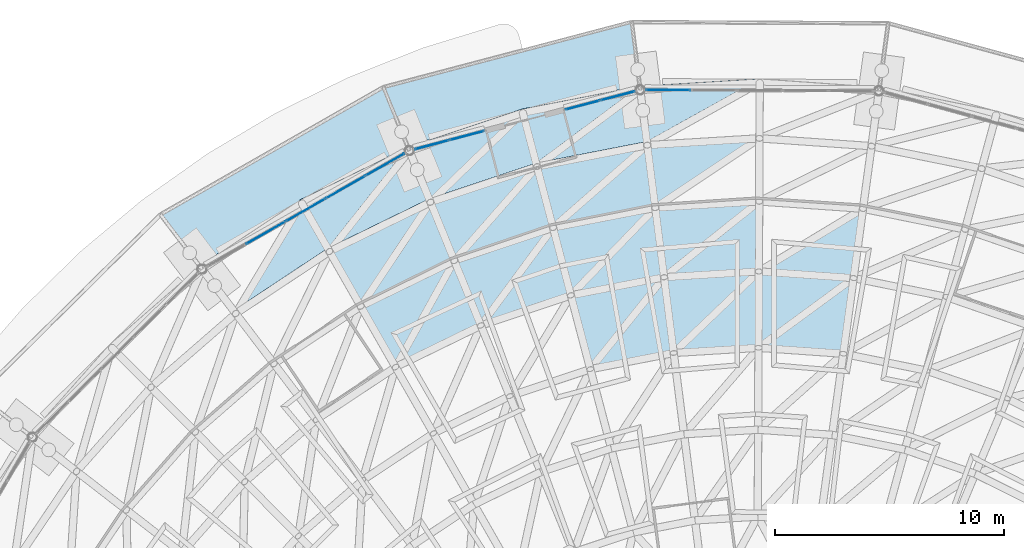
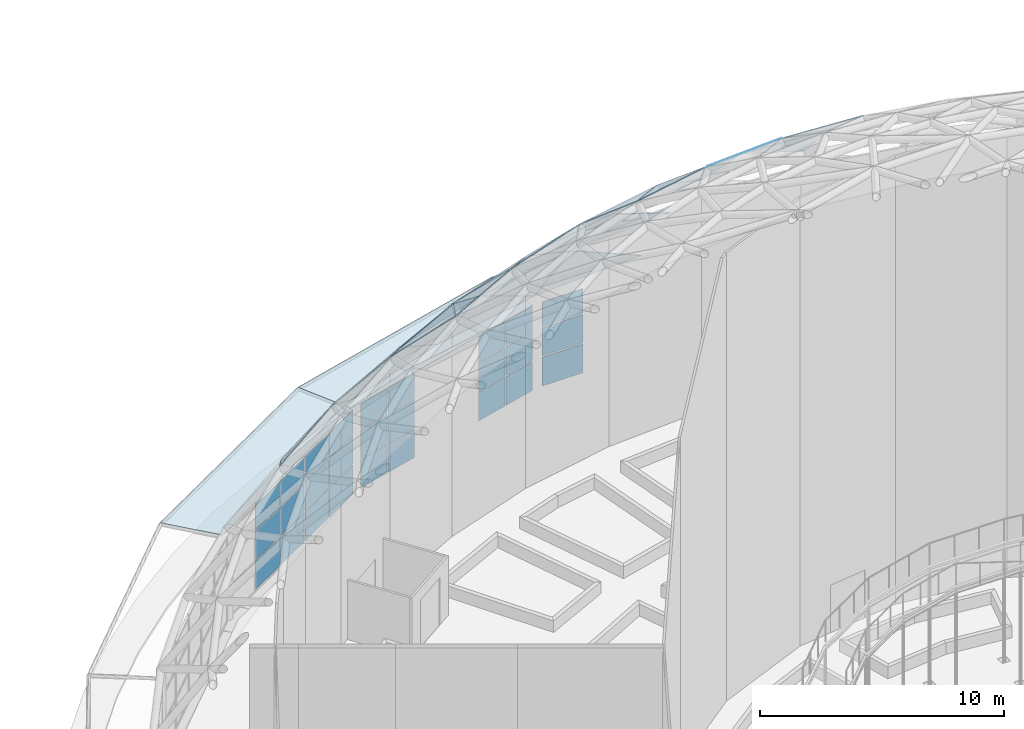
# One storey, part 156 of 226: 59 plates, 4 elements without a shape of their own.
"""IFC4 building model written with IfcOpenShell, lengths in metres."""

from ifc_helpers import new_model, si_unit, direction, frame, origin, origin_2d, place, context, subcontext, project, spatial, polyline, rectangle, outline, extrude, material, layer, layer_set, type_object, element, aggregate, save


model = new_model("IFC4")

# Units and contexts
model_context = context("Model", 3, precision=1e-05, world=origin(), true_north=direction((0.0, 1.0)))
body_context = subcontext(model_context, "Body", "Model", "MODEL_VIEW")
ifc_project = project(units=[si_unit("LENGTHUNIT", "METRE"), si_unit("AREAUNIT", "SQUARE_METRE"), si_unit("VOLUMEUNIT", "CUBIC_METRE"), si_unit("PLANEANGLEUNIT", "RADIAN"), si_unit("MASSUNIT", "GRAM", prefix="KILO")], contexts=[model_context])

# Site, building, storey
site_placement = place(None, origin())
site = spatial("IfcSite", under=ifc_project, at=site_placement, CompositionType="ELEMENT")
building_placement = place(site_placement, origin())
building = spatial("IfcBuilding", under=site, at=building_placement, Name="Ceibo Conservatory and Research Tower", CompositionType="ELEMENT")
storey_placement = place(building_placement, origin())
storey = spatial("IfcBuildingStorey", under=building, at=storey_placement, Name="L00", CompositionType="ELEMENT", Elevation=0.0)

# Plates
ifc_material_1 = material(Name="Laminated glass", Category="glass")
ifc_layer_1 = layer(ifc_material_1, 0.02490234375)
ifc_layer_set_1 = layer_set([ifc_layer_1], Name="Laminated glass")
plate_type_1 = type_object("IfcPlateType", Name="Canopy glass 25", PredefinedType="SHEET", material=ifc_layer_set_1)
plate_1_placement = place(storey_placement, frame((150.92041015625, 147.92822265625, 4.07275390625), z_axis=(0.011660109632, -0.044288249097, -0.998950745951), x_axis=(-0.967043835605, -0.254609936999, 3.91581e-07)))
element("IfcPlate", 1, at=plate_1_placement, inside=storey, type_object=plate_type_1, Name="Brim canopy plate A-CP07", PredefinedType="SHEET", context=body_context, shape_type="SweptSolid", body=[
    extrude(outline(polyline([(0.0, 0.0), (10.507417023316929, 0.0), (10.866274092459353, 2.729502036445407), (-0.3590923696601267, 2.729316214879378), (0.0, 0.0)])), origin(), (0.0, 0.0, 1.0), 0.02490234375),
])
plate_2_placement = place(storey_placement, frame((140.75927734375, 145.2529296875, 4.07275390625), z_axis=(0.022726074159, -0.039761368949, -0.998950729062), x_axis=(-0.868197373786, -0.496219024375, -3.70582e-07)))
element("IfcPlate", 2, at=plate_2_placement, inside=storey, type_object=plate_type_1, Name="Brim canopy plate A-CP08", PredefinedType="SHEET", context=body_context, shape_type="SweptSolid", body=[
    extrude(outline(polyline([(0.0, 0.0), (10.50718954005148, 8.881784197001252e-16), (10.866142204032347, 2.7292992462423933), (-0.35906190410069877, 2.729475098266783), (0.0, 0.0)])), origin(), (0.0, 0.0, 1.0), 0.02490234375),
])

# Curtain wall, plates
ifc_material_2 = material(Name="Aluminium and glass", Category="aluminium")
curtain_wall_type = type_object("IfcCurtainWallType", Name="Drum curtain wall", PredefinedType="NOTDEFINED", material=ifc_material_2)
curtain_wall_1_placement = place(storey_placement, origin())
curtain_wall_1 = element("IfcCurtainWall", 3, at=curtain_wall_1_placement, inside=storey, type_object=curtain_wall_type, Name="Drum curtain wall A-CW06", PredefinedType="NOTDEFINED")
ifc_layer_2 = layer(ifc_material_1, 0.028076171875)
ifc_layer_set_2 = layer_set([ifc_layer_2], Name="Laminated glass")
plate_type_2 = type_object("IfcPlateType", Name="Drum glass 28", PredefinedType="CURTAIN_PANEL", material=ifc_layer_set_2)
plate_3_placement = place(storey_placement, frame((152.173828125, 147.6748046875, 0.06005859375), z_axis=(0.0, 0.0, 1.0), x_axis=(-0.999990480759, 0.004363300488, 0.0)))
plate_3 = element("IfcPlate", 4, at=plate_3_placement, type_object=plate_type_2, Name="A-CW06 panel 5.1", PredefinedType="CURTAIN_PANEL", context=body_context, shape_type="SweptSolid", body=[
    extrude(rectangle(XDim=1.917236328125, YDim=0.028076171875, at=origin_2d()), origin(), (0.0, 0.0, 1.0), 1.43994140625),
])
plate_4_placement = place(storey_placement, frame((152.173828125, 147.6748046875, 1.56005859375), z_axis=(0.0, 0.0, 1.0), x_axis=(-0.999990480759, 0.004363300488, 0.0)))
plate_4 = element("IfcPlate", 5, at=plate_4_placement, type_object=plate_type_2, Name="A-CW06 panel 5.2", PredefinedType="CURTAIN_PANEL", context=body_context, shape_type="SweptSolid", body=[
    extrude(rectangle(XDim=1.917236328125, YDim=0.028076171875, at=origin_2d()), origin(), (0.0, 0.0, 1.0), 1.425048828125),
])
plate_5_placement = place(storey_placement, frame((152.173828125, 147.6748046875, 3.044921875), z_axis=(0.0, 0.0, 1.0), x_axis=(-0.999990480759, 0.004363300488, 0.0)))
plate_5 = element("IfcPlate", 6, at=plate_5_placement, type_object=plate_type_2, Name="A-CW06 panel 5.3", PredefinedType="CURTAIN_PANEL", context=body_context, shape_type="SweptSolid", body=[
    extrude(rectangle(XDim=1.917236328125, YDim=0.028076171875, at=origin_2d()), origin(), (0.0, 0.0, 1.0), 1.233154296875),
])
aggregate(curtain_wall_1, [plate_3, plate_4, plate_5])

curtain_wall_2_placement = place(storey_placement, origin())
curtain_wall_2 = element("IfcCurtainWall", 7, at=curtain_wall_2_placement, inside=storey, type_object=curtain_wall_type, Name="Drum curtain wall A-CW07W", PredefinedType="NOTDEFINED")
plate_6_placement = place(storey_placement, frame((149.963134765625, 147.419921875, 0.06005859375), z_axis=(0.0, 0.0, 1.0), x_axis=(-0.967045935266, -0.254601962062, 0.0)))
plate_6 = element("IfcPlate", 8, at=plate_6_placement, type_object=plate_type_2, Name="A-CW07W panel 1.1", PredefinedType="CURTAIN_PANEL", context=body_context, shape_type="SweptSolid", body=[
    extrude(rectangle(XDim=1.51904296875, YDim=0.028076171875, at=origin_2d()), origin(), (0.0, 0.0, 1.0), 1.43994140625),
])
plate_7_placement = place(storey_placement, frame((149.963134765625, 147.419921875, 1.56005859375), z_axis=(0.0, 0.0, 1.0), x_axis=(-0.967045935266, -0.254601962062, 0.0)))
plate_7 = element("IfcPlate", 9, at=plate_7_placement, type_object=plate_type_2, Name="A-CW07W panel 1.2", PredefinedType="CURTAIN_PANEL", context=body_context, shape_type="SweptSolid", body=[
    extrude(rectangle(XDim=1.51904296875, YDim=0.028076171875, at=origin_2d()), origin(), (0.0, 0.0, 1.0), 1.425048828125),
])
plate_8_placement = place(storey_placement, frame((149.963134765625, 147.419921875, 3.044921875), z_axis=(0.0, 0.0, 1.0), x_axis=(-0.967045935266, -0.254601962062, 0.0)))
plate_8 = element("IfcPlate", 10, at=plate_8_placement, type_object=plate_type_2, Name="A-CW07W panel 1.3", PredefinedType="CURTAIN_PANEL", context=body_context, shape_type="SweptSolid", body=[
    extrude(rectangle(XDim=1.51904296875, YDim=0.028076171875, at=origin_2d()), origin(), (0.0, 0.0, 1.0), 1.233154296875),
])
plate_9_placement = place(storey_placement, frame((148.436279296875, 147.017822265625, 0.06005859375), z_axis=(0.0, 0.0, 1.0), x_axis=(-0.967045935266, -0.254601962062, 0.0)))
plate_9 = element("IfcPlate", 11, at=plate_9_placement, type_object=plate_type_2, Name="A-CW07W panel 2.1", PredefinedType="CURTAIN_PANEL", context=body_context, shape_type="SweptSolid", body=[
    extrude(rectangle(XDim=1.51904296875, YDim=0.028076171875, at=origin_2d()), origin(), (0.0, 0.0, 1.0), 1.43994140625),
])
plate_10_placement = place(storey_placement, frame((148.436279296875, 147.017822265625, 1.56005859375), z_axis=(0.0, 0.0, 1.0), x_axis=(-0.967045935266, -0.254601962062, 0.0)))
plate_10 = element("IfcPlate", 12, at=plate_10_placement, type_object=plate_type_2, Name="A-CW07W panel 2.2", PredefinedType="CURTAIN_PANEL", context=body_context, shape_type="SweptSolid", body=[
    extrude(rectangle(XDim=1.51904296875, YDim=0.028076171875, at=origin_2d()), origin(), (0.0, 0.0, 1.0), 1.425048828125),
])
plate_11_placement = place(storey_placement, frame((148.436279296875, 147.017822265625, 3.044921875), z_axis=(0.0, 0.0, 1.0), x_axis=(-0.967045935266, -0.254601962062, 0.0)))
plate_11 = element("IfcPlate", 13, at=plate_11_placement, type_object=plate_type_2, Name="A-CW07W panel 2.3", PredefinedType="CURTAIN_PANEL", context=body_context, shape_type="SweptSolid", body=[
    extrude(rectangle(XDim=1.51904296875, YDim=0.028076171875, at=origin_2d()), origin(), (0.0, 0.0, 1.0), 1.233154296875),
])
aggregate(curtain_wall_2, [plate_6, plate_7, plate_8, plate_9, plate_10, plate_11])

curtain_wall_3_placement = place(storey_placement, origin())
curtain_wall_3 = element("IfcCurtainWall", 14, at=curtain_wall_3_placement, inside=storey, type_object=curtain_wall_type, Name="Drum curtain wall A-CW07E", PredefinedType="NOTDEFINED")
plate_12_placement = place(storey_placement, frame((143.369873046875, 145.68408203125, 0.06005859375), z_axis=(0.0, 0.0, 1.0), x_axis=(-0.967045935266, -0.254601962062, 0.0)))
plate_12 = element("IfcPlate", 15, at=plate_12_placement, type_object=plate_type_2, Name="A-CW07E panel 1.1", PredefinedType="CURTAIN_PANEL", context=body_context, shape_type="SweptSolid", body=[
    extrude(rectangle(XDim=1.51904296875, YDim=0.028076171875, at=origin_2d()), origin(), (0.0, 0.0, 1.0), 1.43994140625),
])
plate_13_placement = place(storey_placement, frame((143.369873046875, 145.68408203125, 1.56005859375), z_axis=(0.0, 0.0, 1.0), x_axis=(-0.967045935266, -0.254601962062, 0.0)))
plate_13 = element("IfcPlate", 16, at=plate_13_placement, type_object=plate_type_2, Name="A-CW07E panel 1.2", PredefinedType="CURTAIN_PANEL", context=body_context, shape_type="SweptSolid", body=[
    extrude(rectangle(XDim=1.51904296875, YDim=0.028076171875, at=origin_2d()), origin(), (0.0, 0.0, 1.0), 1.425048828125),
])
plate_14_placement = place(storey_placement, frame((143.369873046875, 145.68408203125, 3.044921875), z_axis=(0.0, 0.0, 1.0), x_axis=(-0.967045935266, -0.254601962062, 0.0)))
plate_14 = element("IfcPlate", 17, at=plate_14_placement, type_object=plate_type_2, Name="A-CW07E panel 1.3", PredefinedType="CURTAIN_PANEL", context=body_context, shape_type="SweptSolid", body=[
    extrude(rectangle(XDim=1.51904296875, YDim=0.028076171875, at=origin_2d()), origin(), (0.0, 0.0, 1.0), 1.233154296875),
])
plate_15_placement = place(storey_placement, frame((141.843017578125, 145.281982421875, 0.06005859375), z_axis=(0.0, 0.0, 1.0), x_axis=(-0.967045935266, -0.254601962062, 0.0)))
plate_15 = element("IfcPlate", 18, at=plate_15_placement, type_object=plate_type_2, Name="A-CW07E panel 2.1", PredefinedType="CURTAIN_PANEL", context=body_context, shape_type="SweptSolid", body=[
    extrude(rectangle(XDim=1.51904296875, YDim=0.028076171875, at=origin_2d()), origin(), (0.0, 0.0, 1.0), 1.43994140625),
])
plate_16_placement = place(storey_placement, frame((141.843017578125, 145.281982421875, 1.56005859375), z_axis=(0.0, 0.0, 1.0), x_axis=(-0.967045935266, -0.254601962062, 0.0)))
plate_16 = element("IfcPlate", 19, at=plate_16_placement, type_object=plate_type_2, Name="A-CW07E panel 2.2", PredefinedType="CURTAIN_PANEL", context=body_context, shape_type="SweptSolid", body=[
    extrude(rectangle(XDim=1.51904296875, YDim=0.028076171875, at=origin_2d()), origin(), (0.0, 0.0, 1.0), 1.425048828125),
])
plate_17_placement = place(storey_placement, frame((141.843017578125, 145.281982421875, 3.044921875), z_axis=(0.0, 0.0, 1.0), x_axis=(-0.967045935266, -0.254601962062, 0.0)))
plate_17 = element("IfcPlate", 20, at=plate_17_placement, type_object=plate_type_2, Name="A-CW07E panel 2.3", PredefinedType="CURTAIN_PANEL", context=body_context, shape_type="SweptSolid", body=[
    extrude(rectangle(XDim=1.51904296875, YDim=0.028076171875, at=origin_2d()), origin(), (0.0, 0.0, 1.0), 1.233154296875),
])
aggregate(curtain_wall_3, [plate_12, plate_13, plate_14, plate_15, plate_16, plate_17])

curtain_wall_4_placement = place(storey_placement, origin())
curtain_wall_4 = element("IfcCurtainWall", 21, at=curtain_wall_4_placement, inside=storey, type_object=curtain_wall_type, Name="Drum curtain wall A-CW08", PredefinedType="NOTDEFINED")
plate_18_placement = place(storey_placement, frame((139.793212890625, 144.415283203125, 0.06005859375), z_axis=(0.0, 0.0, 1.0), x_axis=(-0.868198821002, -0.49621649228, 0.0)))
plate_18 = element("IfcPlate", 22, at=plate_18_placement, type_object=plate_type_2, Name="A-CW08 panel 1.1", PredefinedType="CURTAIN_PANEL", context=body_context, shape_type="SweptSolid", body=[
    extrude(rectangle(XDim=1.917236328125, YDim=0.028076171875, at=origin_2d()), origin(), (0.0, 0.0, 1.0), 1.43994140625),
])
plate_19_placement = place(storey_placement, frame((139.793212890625, 144.415283203125, 1.56005859375), z_axis=(0.0, 0.0, 1.0), x_axis=(-0.868198821002, -0.49621649228, 0.0)))
plate_19 = element("IfcPlate", 23, at=plate_19_placement, type_object=plate_type_2, Name="A-CW08 panel 1.2", PredefinedType="CURTAIN_PANEL", context=body_context, shape_type="SweptSolid", body=[
    extrude(rectangle(XDim=1.917236328125, YDim=0.028076171875, at=origin_2d()), origin(), (0.0, 0.0, 1.0), 1.425048828125),
])
plate_20_placement = place(storey_placement, frame((139.793212890625, 144.415283203125, 3.044921875), z_axis=(0.0, 0.0, 1.0), x_axis=(-0.868198821002, -0.49621649228, 0.0)))
plate_20 = element("IfcPlate", 24, at=plate_20_placement, type_object=plate_type_2, Name="A-CW08 panel 1.3", PredefinedType="CURTAIN_PANEL", context=body_context, shape_type="SweptSolid", body=[
    extrude(rectangle(XDim=1.917236328125, YDim=0.028076171875, at=origin_2d()), origin(), (0.0, 0.0, 1.0), 1.233154296875),
])
plate_21_placement = place(storey_placement, frame((138.063720703125, 143.4267578125, 0.06005859375), z_axis=(0.0, 0.0, 1.0), x_axis=(-0.868198821002, -0.49621649228, 0.0)))
plate_21 = element("IfcPlate", 25, at=plate_21_placement, type_object=plate_type_2, Name="A-CW08 panel 2.1", PredefinedType="CURTAIN_PANEL", context=body_context, shape_type="SweptSolid", body=[
    extrude(rectangle(XDim=1.947021484375, YDim=0.028076171875, at=origin_2d()), origin(), (0.0, 0.0, 1.0), 1.43994140625),
])
plate_22_placement = place(storey_placement, frame((138.063720703125, 143.4267578125, 1.56005859375), z_axis=(0.0, 0.0, 1.0), x_axis=(-0.868198821002, -0.49621649228, 0.0)))
plate_22 = element("IfcPlate", 26, at=plate_22_placement, type_object=plate_type_2, Name="A-CW08 panel 2.2", PredefinedType="CURTAIN_PANEL", context=body_context, shape_type="SweptSolid", body=[
    extrude(rectangle(XDim=1.947021484375, YDim=0.028076171875, at=origin_2d()), origin(), (0.0, 0.0, 1.0), 1.425048828125),
])
plate_23_placement = place(storey_placement, frame((138.063720703125, 143.4267578125, 3.044921875), z_axis=(0.0, 0.0, 1.0), x_axis=(-0.868198821002, -0.49621649228, 0.0)))
plate_23 = element("IfcPlate", 27, at=plate_23_placement, type_object=plate_type_2, Name="A-CW08 panel 2.3", PredefinedType="CURTAIN_PANEL", context=body_context, shape_type="SweptSolid", body=[
    extrude(rectangle(XDim=1.947021484375, YDim=0.028076171875, at=origin_2d()), origin(), (0.0, 0.0, 1.0), 1.233154296875),
])
plate_24_placement = place(storey_placement, frame((136.321044921875, 142.430908203125, 0.06005859375), z_axis=(0.0, 0.0, 1.0), x_axis=(-0.868198821002, -0.49621649228, 0.0)))
plate_24 = element("IfcPlate", 28, at=plate_24_placement, type_object=plate_type_2, Name="A-CW08 panel 3.1", PredefinedType="CURTAIN_PANEL", context=body_context, shape_type="SweptSolid", body=[
    extrude(rectangle(XDim=1.947021484375, YDim=0.028076171875, at=origin_2d()), origin(), (0.0, 0.0, 1.0), 1.43994140625),
])
plate_25_placement = place(storey_placement, frame((136.321044921875, 142.430908203125, 1.56005859375), z_axis=(0.0, 0.0, 1.0), x_axis=(-0.868198821002, -0.49621649228, 0.0)))
plate_25 = element("IfcPlate", 29, at=plate_25_placement, type_object=plate_type_2, Name="A-CW08 panel 3.2", PredefinedType="CURTAIN_PANEL", context=body_context, shape_type="SweptSolid", body=[
    extrude(rectangle(XDim=1.947021484375, YDim=0.028076171875, at=origin_2d()), origin(), (0.0, 0.0, 1.0), 1.425048828125),
])
plate_26_placement = place(storey_placement, frame((136.321044921875, 142.430908203125, 3.044921875), z_axis=(0.0, 0.0, 1.0), x_axis=(-0.868198821002, -0.49621649228, 0.0)))
plate_26 = element("IfcPlate", 30, at=plate_26_placement, type_object=plate_type_2, Name="A-CW08 panel 3.3", PredefinedType="CURTAIN_PANEL", context=body_context, shape_type="SweptSolid", body=[
    extrude(rectangle(XDim=1.947021484375, YDim=0.028076171875, at=origin_2d()), origin(), (0.0, 0.0, 1.0), 1.233154296875),
])
plate_27_placement = place(storey_placement, frame((134.57861328125, 141.434814453125, 0.06005859375), z_axis=(0.0, 0.0, 1.0), x_axis=(-0.868198821002, -0.49621649228, 0.0)))
plate_27 = element("IfcPlate", 31, at=plate_27_placement, type_object=plate_type_2, Name="A-CW08 panel 4.1", PredefinedType="CURTAIN_PANEL", context=body_context, shape_type="SweptSolid", body=[
    extrude(rectangle(XDim=1.947021484375, YDim=0.028076171875, at=origin_2d()), origin(), (0.0, 0.0, 1.0), 1.43994140625),
])
plate_28_placement = place(storey_placement, frame((134.57861328125, 141.434814453125, 1.56005859375), z_axis=(0.0, 0.0, 1.0), x_axis=(-0.868198821002, -0.49621649228, 0.0)))
plate_28 = element("IfcPlate", 32, at=plate_28_placement, type_object=plate_type_2, Name="A-CW08 panel 4.2", PredefinedType="CURTAIN_PANEL", context=body_context, shape_type="SweptSolid", body=[
    extrude(rectangle(XDim=1.947021484375, YDim=0.028076171875, at=origin_2d()), origin(), (0.0, 0.0, 1.0), 1.425048828125),
])
plate_29_placement = place(storey_placement, frame((134.57861328125, 141.434814453125, 3.044921875), z_axis=(0.0, 0.0, 1.0), x_axis=(-0.868198821002, -0.49621649228, 0.0)))
plate_29 = element("IfcPlate", 33, at=plate_29_placement, type_object=plate_type_2, Name="A-CW08 panel 4.3", PredefinedType="CURTAIN_PANEL", context=body_context, shape_type="SweptSolid", body=[
    extrude(rectangle(XDim=1.947021484375, YDim=0.028076171875, at=origin_2d()), origin(), (0.0, 0.0, 1.0), 1.233154296875),
])
aggregate(curtain_wall_4, [plate_18, plate_19, plate_20, plate_21, plate_22, plate_23, plate_24, plate_25, plate_26, plate_27, plate_28, plate_29])

# Plates
ifc_layer_3 = layer(ifc_material_1, 0.035888671875)
ifc_layer_set_3 = layer_set([ifc_layer_3], Name="Laminated glass")
plate_type_3 = type_object("IfcPlateType", Name="Gridshell roof glass 36", PredefinedType="SHEET", material=ifc_layer_set_3)
plate_30_placement = place(storey_placement, frame((156.17578125, 148.16748046875, 4.601806640625), z_axis=(-0.050752079254, 0.82850069804, 0.557683440491), x_axis=(-0.998129008768, -0.061143125985, 0.0)))
element("IfcPlate", 34, at=plate_30_placement, inside=storey, type_object=plate_type_3, Name="Glass panel A-P01-023", PredefinedType="SHEET", context=body_context, shape_type="SweptSolid", body=[
    extrude(outline(polyline([(0.0, 0.0), (5.254704553018939, 0.0), (5.095221856598572, 4.374540373181693), (0.0, 0.0)])), origin(), (0.0, 0.0, -1.0), 0.035888671875),
])
plate_31_placement = place(storey_placement, frame((150.930908203125, 147.84619140625, 4.601806640625), z_axis=(-0.158319653824, 0.814738778815, 0.557795311479), x_axis=(-0.981638357486, -0.190751500946, 0.0)))
element("IfcPlate", 35, at=plate_31_placement, inside=storey, type_object=plate_type_3, Name="Glass panel A-P01-025", PredefinedType="SHEET", context=body_context, shape_type="SweptSolid", body=[
    extrude(outline(polyline([(0.0, 0.0), (5.253941702457205, 1.1102230246251565e-16), (5.093939743978923, 4.374936585347089), (0.0, 0.0)])), origin(), (0.0, 0.0, -1.0), 0.035888671875),
])
plate_32_placement = place(storey_placement, frame((150.930908203125, 147.84619140625, 4.601806640625), z_axis=(-0.158457346714, 0.814794412678, 0.557674936088), x_axis=(-0.675362560417, -0.501458973527, 0.540762711229)))
element("IfcPlate", 36, at=plate_32_placement, inside=storey, type_object=plate_type_3, Name="Glass panel A-P01-026", PredefinedType="SHEET", context=body_context, shape_type="SweptSolid", body=[
    extrude(outline(polyline([(0.0, 0.0), (6.71478162274072, 8.881784197001252e-16), (2.9715025227845504, 3.214375672527901), (0.0, 0.0)])), origin(), (0.0, 0.0, -1.0), 0.035888671875),
])
plate_33_placement = place(storey_placement, frame((145.7734375, 146.843994140625, 4.601806640625), z_axis=(-0.263319331949, 0.787104212811, 0.557790182414), x_axis=(-0.948338900526, -0.317259089309, 0.0)))
element("IfcPlate", 37, at=plate_33_placement, inside=storey, type_object=plate_type_3, Name="Glass panel A-P01-027", PredefinedType="SHEET", context=body_context, shape_type="SweptSolid", body=[
    extrude(outline(polyline([(0.0, 0.0), (5.254355962289331, 0.0), (5.094263083208822, 4.374918415704696), (0.0, 0.0)])), origin(), (0.0, 0.0, -1.0), 0.035888671875),
])
plate_34_placement = place(storey_placement, frame((145.7734375, 146.843994140625, 4.601806640625), z_axis=(-0.263311939698, 0.787102300093, 0.55779637109), x_axis=(-0.60415125181, -0.585318108136, 0.540743910945)))
element("IfcPlate", 38, at=plate_34_placement, inside=storey, type_object=plate_type_3, Name="Glass panel A-P01-028", PredefinedType="SHEET", context=body_context, shape_type="SweptSolid", body=[
    extrude(outline(polyline([(0.0, 0.0), (6.71501507853976, -4.440892098500626e-16), (2.9716491720905545, 3.214805118594104), (0.0, 0.0)])), origin(), (0.0, 0.0, -1.0), 0.035888671875),
])
plate_35_placement = place(storey_placement, frame((140.79052734375, 145.177001953125, 4.601806640625), z_axis=(-0.363884578057, 0.745971097704, 0.557776958328), x_axis=(-0.898770231796, -0.43841997039, 0.0)))
element("IfcPlate", 39, at=plate_35_placement, inside=storey, type_object=plate_type_3, Name="Glass panel A-P01-029", PredefinedType="SHEET", context=body_context, shape_type="SweptSolid", body=[
    extrude(outline(polyline([(0.0, 0.0), (5.254575733512763, 0.0), (5.094047725656487, 4.374871571375479), (0.0, 0.0)])), origin(), (0.0, 0.0, -1.0), 0.035888671875),
])
plate_36_placement = place(storey_placement, frame((140.79052734375, 145.177001953125, 4.601806640625), z_axis=(-0.363867270271, 0.745968972597, 0.557791091312), x_axis=(-0.52250757349, -0.659215420982, 0.540759525469)))
element("IfcPlate", 40, at=plate_36_placement, inside=storey, type_object=plate_type_3, Name="Glass panel A-P01-030", PredefinedType="SHEET", context=body_context, shape_type="SweptSolid", body=[
    extrude(outline(polyline([(0.0, 0.0), (6.714821181334271, 0.0), (2.9717850009710016, 3.2146593570716235), (0.0, 0.0)])), origin(), (0.0, 0.0, -1.0), 0.035888671875),
])
plate_37_placement = place(storey_placement, frame((136.06787109375, 142.873291015625, 4.601806640625), z_axis=(-0.458047233991, 0.692142014895, 0.557792221754), x_axis=(-0.432056442362, -0.721730234864, 0.540770467664)))
element("IfcPlate", 41, at=plate_37_placement, inside=storey, type_object=plate_type_3, Name="Glass panel A-P01-032", PredefinedType="SHEET", context=body_context, shape_type="SweptSolid", body=[
    extrude(outline(polyline([(0.0, 0.0), (6.714685310593853, 0.0), (2.9711198412687043, 3.2152320905581755), (0.0, 0.0)])), origin(), (0.0, 0.0, -1.0), 0.035888671875),
])
plate_38_placement = place(storey_placement, frame((156.164794921875, 145.72216796875, 8.23291015625), z_axis=(-0.047290467593, 0.773164654537, 0.632439743098), x_axis=(-0.998134665357, -0.061050715095, 0.0)))
element("IfcPlate", 42, at=plate_38_placement, inside=storey, type_object=plate_type_3, Name="Glass panel A-P02-023", PredefinedType="SHEET", context=body_context, shape_type="SweptSolid", body=[
    extrude(outline(polyline([(0.0, 0.0), (4.9347420546863265, 0.0), (4.752898514135263, 4.372792699188496), (0.0, 0.0)])), origin(), (0.0, 0.0, -1.0), 0.035888671875),
])
plate_39_placement = place(storey_placement, frame((151.2392578125, 145.4208984375, 8.23291015625), z_axis=(-0.147869955787, 0.760353598471, 0.632453066613), x_axis=(-0.981609723721, -0.190898795953, 0.0)))
element("IfcPlate", 43, at=plate_39_placement, inside=storey, type_object=plate_type_3, Name="Glass panel A-P02-025", PredefinedType="SHEET", context=body_context, shape_type="SweptSolid", body=[
    extrude(outline(polyline([(0.0, 0.0), (4.933999329581213, -1.1102230246251565e-16), (4.752811163246886, 4.372854110007431), (0.0, 0.0)])), origin(), (0.0, 0.0, -1.0), 0.035888671875),
])
plate_40_placement = place(storey_placement, frame((151.2392578125, 145.4208984375, 8.23291015625), z_axis=(-0.14787700298, 0.760356662597, 0.6324477351), x_axis=(-0.640629939904, -0.560829986925, 0.524464494379)))
element("IfcPlate", 44, at=plate_40_placement, inside=storey, type_object=plate_type_3, Name="Glass panel A-P02-026", PredefinedType="SHEET", context=body_context, shape_type="SweptSolid", body=[
    extrude(outline(polyline([(0.0, 0.0), (6.45841056459661, 4.440892098500626e-16), (3.0939020786154625, 3.0955052885199965), (0.0, 0.0)])), origin(), (0.0, 0.0, -1.0), 0.035888671875),
])
plate_41_placement = place(storey_placement, frame((146.39599609375, 144.47900390625, 8.23291015625), z_axis=(-0.245728336838, 0.734540709945, 0.632508916861), x_axis=(-0.948341348248, -0.317251772576, 0.0)))
element("IfcPlate", 45, at=plate_41_placement, inside=storey, type_object=plate_type_3, Name="Glass panel A-P02-027", PredefinedType="SHEET", context=body_context, shape_type="SweptSolid", body=[
    extrude(outline(polyline([(0.0, 0.0), (4.934344967683669, -1.1102230246251565e-16), (4.753199402066526, 4.373111577510651), (0.0, 0.0)])), origin(), (0.0, 0.0, -1.0), 0.035888671875),
])
plate_42_placement = place(storey_placement, frame((146.39599609375, 144.47900390625, 8.23291015625), z_axis=(-0.245805582972, 0.734562872889, 0.632453161233), x_axis=(-0.562037417692, -0.639601529677, 0.524427139219)))
element("IfcPlate", 46, at=plate_42_placement, inside=storey, type_object=plate_type_3, Name="Glass panel A-P02-028", PredefinedType="SHEET", context=body_context, shape_type="SweptSolid", body=[
    extrude(outline(polyline([(0.0, 0.0), (6.458870599815673, 0.0), (3.093895885686849, 3.0955597987372916), (0.0, 0.0)])), origin(), (0.0, 0.0, -1.0), 0.035888671875),
])
plate_43_placement = place(storey_placement, frame((141.716552734375, 142.91357421875, 8.23291015625), z_axis=(-0.339609922317, 0.696238671441, 0.632389763559), x_axis=(-0.89877795649, -0.438404134249, 0.0)))
element("IfcPlate", 47, at=plate_43_placement, inside=storey, type_object=plate_type_3, Name="Glass panel A-P02-029", PredefinedType="SHEET", context=body_context, shape_type="SweptSolid", body=[
    extrude(outline(polyline([(0.0, 0.0), (4.933999861118422, -2.220446049250313e-16), (4.75320251493428, 4.3725623678107715), (0.0, 0.0)])), origin(), (0.0, 0.0, -1.0), 0.035888671875),
])
plate_44_placement = place(storey_placement, frame((141.716552734375, 142.91357421875, 8.23291015625), z_axis=(-0.339440723467, 0.696213358112, 0.632508462582), x_axis=(-0.47376541857, -0.70745390637, 0.524457146513)))
element("IfcPlate", 48, at=plate_44_placement, inside=storey, type_object=plate_type_3, Name="Glass panel A-P02-030", PredefinedType="SHEET", context=body_context, shape_type="SweptSolid", body=[
    extrude(outline(polyline([(0.0, 0.0), (6.458501049653279, -6.661338147750939e-16), (3.0944110800168136, 3.095406056266225), (0.0, 0.0)])), origin(), (0.0, 0.0, -1.0), 0.035888671875),
])
plate_45_placement = place(storey_placement, frame((160.712646484375, 142.63134765625, 11.6201171875), z_axis=(0.049769631133, 0.710708663855, 0.701723719806), x_axis=(-0.73982064844, -0.445764552789, 0.503943817919)))
element("IfcPlate", 49, at=plate_45_placement, inside=storey, type_object=plate_type_3, Name="Glass panel A-P03-022", PredefinedType="SHEET", context=body_context, shape_type="SweptSolid", body=[
    extrude(outline(polyline([(0.0, 0.0), (6.181225215218037, 0.0), (3.234011481003443, 2.9491590545173043), (0.0, 0.0)])), origin(), (0.0, 0.0, -1.0), 0.035888671875),
])
plate_46_placement = place(storey_placement, frame((156.152587890625, 142.95068359375, 11.6201171875), z_axis=(-0.04348445938, 0.711045096954, 0.701800521438), x_axis=(-0.998135219396, -0.061041656274, 0.0)))
element("IfcPlate", 50, at=plate_46_placement, inside=storey, type_object=plate_type_3, Name="Glass panel A-P03-023", PredefinedType="SHEET", context=body_context, shape_type="SweptSolid", body=[
    extrude(outline(polyline([(0.0, 0.0), (4.571513150302315, -2.7755575615628914e-17), (4.370765544932332, 4.3726923571040155), (0.0, 0.0)])), origin(), (0.0, 0.0, -1.0), 0.035888671875),
])
plate_47_placement = place(storey_placement, frame((156.152587890625, 142.95068359375, 11.6201171875), z_axis=(-0.043586582447, 0.711107793429, 0.701730657699), x_axis=(-0.675334160245, -0.538585113529, 0.503835139198)))
element("IfcPlate", 51, at=plate_47_placement, inside=storey, type_object=plate_type_3, Name="Glass panel A-P03-024", PredefinedType="SHEET", context=body_context, shape_type="SweptSolid", body=[
    extrude(outline(polyline([(0.0, 0.0), (6.182558523673149, -1.1102230246251565e-15), (3.234171428542714, 2.949116831954096), (0.0, 0.0)])), origin(), (0.0, 0.0, -1.0), 0.035888671875),
])
plate_48_placement = place(storey_placement, frame((151.589599609375, 142.671630859375, 11.6201171875), z_axis=(-0.136011723482, 0.699347552742, 0.701722032965), x_axis=(-0.981608163023, -0.190906820956, 0.0)))
element("IfcPlate", 52, at=plate_48_placement, inside=storey, type_object=plate_type_3, Name="Glass panel A-P03-025", PredefinedType="SHEET", context=body_context, shape_type="SweptSolid", body=[
    extrude(outline(polyline([(0.0, 0.0), (4.571878207421368, 0.0), (4.371438756720874, 4.372217833335619), (0.0, 0.0)])), origin(), (0.0, 0.0, -1.0), 0.035888671875),
])
plate_49_placement = place(storey_placement, frame((151.589599609375, 142.671630859375, 11.6201171875), z_axis=(-0.135896628649, 0.69929618763, 0.701795517432), x_axis=(-0.599304984847, -0.622089393904, 0.503823700445)))
element("IfcPlate", 53, at=plate_49_placement, inside=storey, type_object=plate_type_3, Name="Glass panel A-P03-026", PredefinedType="SHEET", context=body_context, shape_type="SweptSolid", body=[
    extrude(outline(polyline([(0.0, 0.0), (6.182698891738085, 0.0), (3.2349168320961197, 2.9489067703742107), (0.0, 0.0)])), origin(), (0.0, 0.0, -1.0), 0.035888671875),
])
plate_50_placement = place(storey_placement, frame((147.101806640625, 141.798828125, 11.6201171875), z_axis=(-0.226069598505, 0.675584060145, 0.701768276791), x_axis=(-0.948314221276, -0.317332850059, 0.0)))
element("IfcPlate", 54, at=plate_50_placement, inside=storey, type_object=plate_type_3, Name="Glass panel A-P03-027", PredefinedType="SHEET", context=body_context, shape_type="SweptSolid", body=[
    extrude(outline(polyline([(0.0, 0.0), (4.572258226990775, -1.1102230246251565e-16), (4.370779194624383, 4.372497388050967), (0.0, 0.0)])), origin(), (0.0, 0.0, -1.0), 0.035888671875),
])
plate_51_placement = place(storey_placement, frame((147.101806640625, 141.798828125, 11.6201171875), z_axis=(-0.226163547666, 0.675611970282, 0.701711133814), x_axis=(-0.512928158363, -0.695013903086, 0.503845590311)))
element("IfcPlate", 55, at=plate_51_placement, inside=storey, type_object=plate_type_3, Name="Glass panel A-P03-028", PredefinedType="SHEET", context=body_context, shape_type="SweptSolid", body=[
    extrude(outline(polyline([(0.0, 0.0), (6.182430280777446, 2.220446049250313e-16), (3.2346693029564797, 2.9484537059357354), (0.0, 0.0)])), origin(), (0.0, 0.0, -1.0), 0.035888671875),
])
plate_52_placement = place(storey_placement, frame((142.765869140625, 140.347900390625, 11.6201171875), z_axis=(-0.31217805054, 0.64029597473, 0.701830413637), x_axis=(-0.898857734553, -0.438240542436, 0.0)))
element("IfcPlate", 56, at=plate_52_placement, inside=storey, type_object=plate_type_3, Name="Glass panel A-P03-029", PredefinedType="SHEET", context=body_context, shape_type="SweptSolid", body=[
    extrude(outline(polyline([(0.0, 0.0), (4.571503032589862, 0.0), (4.369691083419548, 4.372873133249929), (0.0, 0.0)])), origin(), (0.0, 0.0, -1.0), 0.035888671875),
])
plate_53_placement = place(storey_placement, frame((142.765869140625, 140.347900390625, 11.6201171875), z_axis=(-0.312271468521, 0.640310852499, 0.701775278932), x_axis=(-0.417792661364, -0.756007648785, 0.503886621264)))
element("IfcPlate", 57, at=plate_53_placement, inside=storey, type_object=plate_type_3, Name="Glass panel A-P03-030", PredefinedType="SHEET", context=body_context, shape_type="SweptSolid", body=[
    extrude(outline(polyline([(0.0, 0.0), (6.181926852043411, 0.0), (3.2345170349661716, 2.9491060949903893), (0.0, 0.0)])), origin(), (0.0, 0.0, -1.0), 0.035888671875),
])
plate_54_placement = place(storey_placement, frame((160.298828125, 139.584716796875, 14.735107421875), z_axis=(0.044987167813, 0.642415247995, 0.765035165124), x_axis=(-0.997557008867, 0.069857097416, 0.0)))
element("IfcPlate", 58, at=plate_54_placement, inside=storey, type_object=plate_type_3, Name="Glass panel A-P04-021", PredefinedType="SHEET", context=body_context, shape_type="SweptSolid", body=[
    extrude(outline(polyline([(0.0, 0.0), (4.169365410225462, 0.0), (3.950300612136636, 4.372242363016905), (0.0, 0.0)])), origin(), (0.0, 0.0, -1.0), 0.035888671875),
])
plate_55_placement = place(storey_placement, frame((160.298828125, 139.584716796875, 14.735107421875), z_axis=(0.044889797732, 0.642493133176, 0.764975476654), x_axis=(-0.708413595024, -0.51943977312, 0.477841501427)))
element("IfcPlate", 59, at=plate_55_placement, inside=storey, type_object=plate_type_3, Name="Glass panel A-P04-022", PredefinedType="SHEET", context=body_context, shape_type="SweptSolid", body=[
    extrude(outline(polyline([(0.0, 0.0), (5.892484892403775, 2.220446049250313e-16), (3.3912287716587572, 2.7677437428708576), (0.0, 0.0)])), origin(), (0.0, 0.0, -1.0), 0.035888671875),
])
plate_56_placement = place(storey_placement, frame((156.1396484375, 139.8759765625, 14.735107421875), z_axis=(-0.039400993041, 0.642820603216, 0.765002767203), x_axis=(-0.998126804306, -0.061179102029, 0.0)))
element("IfcPlate", 60, at=plate_56_placement, inside=storey, type_object=plate_type_3, Name="Glass panel A-P04-023", PredefinedType="SHEET", context=body_context, shape_type="SweptSolid", body=[
    extrude(outline(polyline([(0.0, 0.0), (4.170165050839913, -5.551115123125783e-17), (3.951766782354754, 4.3719810876863985), (0.0, 0.0)])), origin(), (0.0, 0.0, -1.0), 0.035888671875),
])
plate_57_placement = place(storey_placement, frame((156.1396484375, 139.8759765625, 14.735107421875), z_axis=(-0.039352862143, 0.642791504126, 0.765029695152), x_axis=(-0.634578681665, -0.60748542812, 0.477777512446)))
element("IfcPlate", 61, at=plate_57_placement, inside=storey, type_object=plate_type_3, Name="Glass panel A-P04-024", PredefinedType="SHEET", context=body_context, shape_type="SweptSolid", body=[
    extrude(outline(polyline([(0.0, 0.0), (5.893274075860548, 2.220446049250313e-16), (3.391193080415083, 2.768447607968445), (0.0, 0.0)])), origin(), (0.0, 0.0, -1.0), 0.035888671875),
])
plate_58_placement = place(storey_placement, frame((151.977294921875, 139.620849609375, 14.735107421875), z_axis=(-0.122853903662, 0.632180999045, 0.765019021202), x_axis=(-0.981635801309, -0.190764654976, 0.0)))
element("IfcPlate", 62, at=plate_58_placement, inside=storey, type_object=plate_type_3, Name="Glass panel A-P04-025", PredefinedType="SHEET", context=body_context, shape_type="SweptSolid", body=[
    extrude(outline(polyline([(0.0, 0.0), (4.169588734096672, -1.1102230246251565e-16), (3.950102299217178, 4.372112161977718), (0.0, 0.0)])), origin(), (0.0, 0.0, -1.0), 0.035888671875),
])
plate_59_placement = place(storey_placement, frame((151.977294921875, 139.620849609375, 14.735107421875), z_axis=(-0.122899902835, 0.632201146271, 0.764994983341), x_axis=(-0.549789812054, -0.685113764587, 0.477860117749)))
element("IfcPlate", 63, at=plate_59_placement, inside=storey, type_object=plate_type_3, Name="Glass panel A-P04-026", PredefinedType="SHEET", context=body_context, shape_type="SweptSolid", body=[
    extrude(outline(polyline([(0.0, 0.0), (5.892255334860694, -4.440892098500626e-16), (3.3911227864377533, 2.768068402707475), (0.0, 0.0)])), origin(), (0.0, 0.0, -1.0), 0.035888671875),
])

save(model, "model.ifc")
